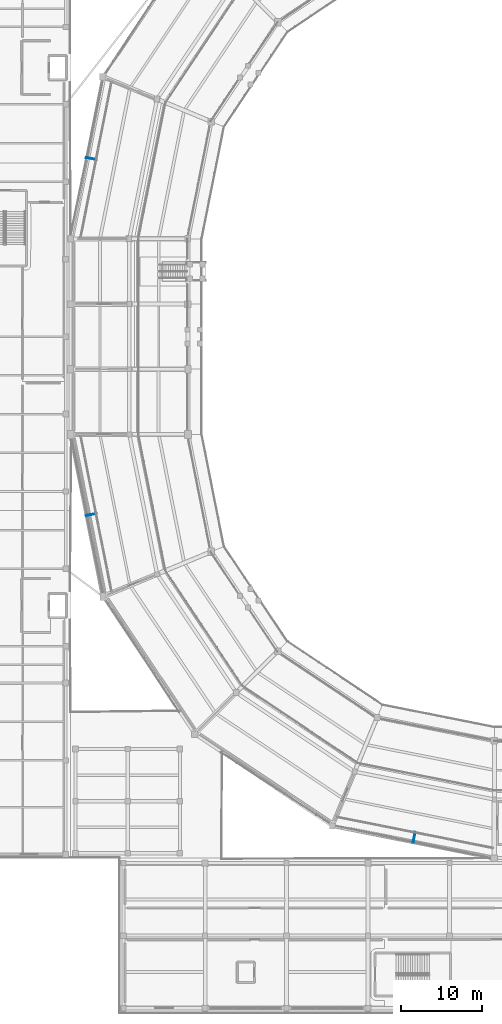
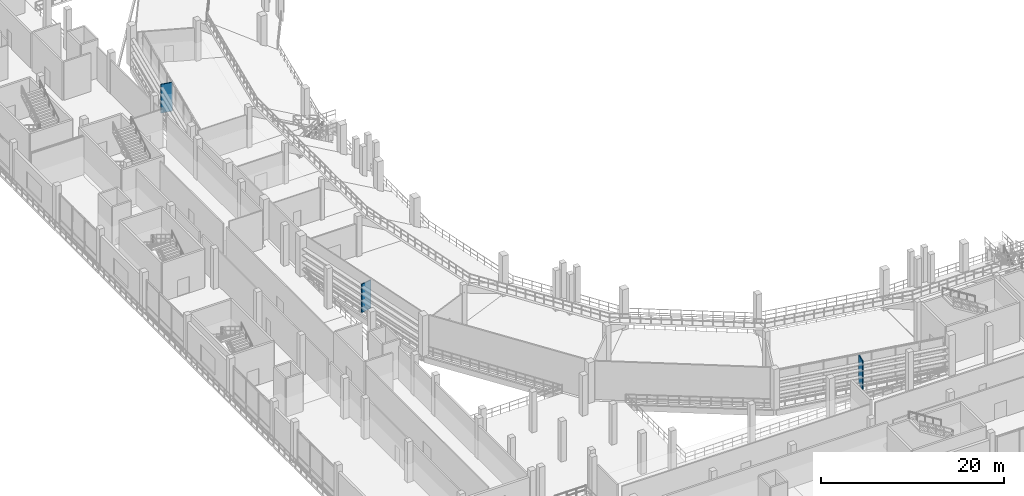
# One storey, part 91 of 127: 3 discrete accessories.
"""IFC4 building model written with IfcOpenShell, lengths in metres."""

import ifcopenshell
import ifcopenshell.guid

model = None  # the IFC model being written
_history = None  # IfcOwnerHistory: only IFC2X3 demands one
_inside = {}  # id of a spatial element -> (the spatial element, [elements in it])
_under = {}  # id of a project, library or spatial element -> (it, [spatial elements below it])
_declared = {}  # id of a project -> (the project, [libraries it declares])
_typed = {}  # id of a type object -> (the type object, [elements of that type])
_made_of = {}  # id of a material, layer set ... -> (it, [elements and type objects made of it])


def new_model(schema):
    """Start an empty IFC model of exactly this schema.

    Asked for "IFC4X3", IfcOpenShell would pick the latest addendum, in which some entities
    have other attributes; the version numbers below select the first issue.
    IFC2X3 requires an IfcOwnerHistory on every rooted entity: one is made here for all.
    """
    global model, _history
    if schema == "IFC4X3":
        model = ifcopenshell.file(schema_version=(4, 3, 0, 0))
    else:
        model = ifcopenshell.file(schema=schema)
    _inside.clear()
    _under.clear()
    _declared.clear()
    _typed.clear()
    _made_of.clear()
    _history = None
    if model.schema == "IFC2X3":
        org = make("IfcOrganization", Name="unknown")
        user = make(
            "IfcPersonAndOrganization",
            ThePerson=make("IfcPerson", FamilyName="unknown"),
            TheOrganization=org,
        )
        app = make(
            "IfcApplication",
            ApplicationDeveloper=org,
            Version="unknown",
            ApplicationFullName="unknown",
            ApplicationIdentifier="unknown",
        )
        _history = make(
            "IfcOwnerHistory",
            OwningUser=user,
            OwningApplication=app,
            ChangeAction="ADDED",
            CreationDate=0,
        )
    return model


def make(cls, **values):
    """One entity of the class cls with the attributes given. An attribute that is None is left unset."""
    return model.create_entity(
        cls, **{name: value for name, value in values.items() if value is not None}
    )


def rooted(cls, **values):
    """An entity with a GlobalId (a new one), such as an element, a storey or a relation."""
    return make(cls, GlobalId=ifcopenshell.guid.new(), OwnerHistory=_history, **values)


def si_unit(unit_type, name, prefix=None):
    """IfcSIUnit, for example si_unit("LENGTHUNIT", "METRE", prefix="MILLI")."""
    return make("IfcSIUnit", UnitType=unit_type, Prefix=prefix, Name=name)


def assignment(units):
    """IfcUnitAssignment: the units of a project."""
    return None if units is None else make("IfcUnitAssignment", Units=units)


def point(xyz):
    """IfcCartesianPoint."""
    return None if xyz is None else make("IfcCartesianPoint", Coordinates=xyz)


def direction(xyz):
    """IfcDirection."""
    return None if xyz is None else make("IfcDirection", DirectionRatios=xyz)


def frame(location, z_axis=None, x_axis=None):
    """IfcAxis2Placement3D, a coordinate frame: its origin and axes. An axis left out is left unset."""
    return make(
        "IfcAxis2Placement3D",
        Location=point(location),
        Axis=direction(z_axis),
        RefDirection=direction(x_axis),
    )


def frame_2d(location, x_axis=None):
    """IfcAxis2Placement2D, a coordinate frame in the plane: its origin and x axis."""
    return make(
        "IfcAxis2Placement2D", Location=point(location), RefDirection=direction(x_axis)
    )


def origin():
    """The frame at (0, 0, 0) with its axes left unset."""
    return frame((0.0, 0.0, 0.0))


def origin_2d():
    """The frame at (0, 0) in the plane with its x axis left unset."""
    return frame_2d((0.0, 0.0))


def place(relative_to, where):
    """IfcLocalPlacement: puts the frame where relative to a parent placement (None: the world)."""
    return make(
        "IfcLocalPlacement", PlacementRelTo=relative_to, RelativePlacement=where
    )


def context(
    kind, dimensions, precision=None, world=None, true_north=None, identifier=None
):
    """IfcGeometricRepresentationContext, for example the 3D "Model" context."""
    return make(
        "IfcGeometricRepresentationContext",
        ContextIdentifier=identifier,
        ContextType=kind,
        CoordinateSpaceDimension=dimensions,
        Precision=precision,
        WorldCoordinateSystem=world,
        TrueNorth=true_north,
    )


def subcontext(parent, identifier, kind, view, scale=None):
    """IfcGeometricRepresentationSubContext, for example "Body" below "Model"."""
    return make(
        "IfcGeometricRepresentationSubContext",
        ContextIdentifier=identifier,
        ContextType=kind,
        ParentContext=parent,
        TargetScale=scale,
        TargetView=view,
    )


def project(units=None, contexts=None):
    """IfcProject with its units and contexts."""
    return rooted(
        "IfcProject",
        Name="project",
        RepresentationContexts=contexts,
        UnitsInContext=assignment(units),
    )


def spatial(cls, under=None, at=None, **own):
    """A site, building, storey or space (cls), placed at a placement, below another one or the project."""
    s = rooted(cls, ObjectPlacement=at, **own)
    if under is not None:
        _under.setdefault(under.id(), (under, []))[1].append(s)
    return s


def profile(cls, at=None, kind="AREA", **sizes):
    """A parametric profile (cls). Its sizes go by their IFC names, for example OverallWidth=200.0."""
    return make(cls, ProfileType=kind, Position=at, **sizes)


def rectangle(**sizes):
    """IfcRectangleProfileDef."""
    return profile("IfcRectangleProfileDef", **sizes)


def extrude(swept, where, along, depth):
    """IfcExtrudedAreaSolid: the profile swept, set in the frame where, extruded along a direction by depth."""
    return make(
        "IfcExtrudedAreaSolid",
        SweptArea=swept,
        Position=where,
        ExtrudedDirection=direction(along),
        Depth=depth,
    )


def shape(context_of_items, identifier, shape_type, items):
    """IfcShapeRepresentation: the items that make up one representation, for example the "Body"."""
    return make(
        "IfcShapeRepresentation",
        ContextOfItems=context_of_items,
        RepresentationIdentifier=identifier,
        RepresentationType=shape_type,
        Items=items,
    )


def material(Name=None, Category=None):
    """IfcMaterial."""
    return make("IfcMaterial", Name=Name, Category=Category)


def made_of(thing, what):
    """Note that an element or type object is made of a material, layer set ...; save() writes the relation."""
    if what is not None:
        _made_of.setdefault(what.id(), (what, []))[1].append(thing)
    return thing


def type_object(cls, material=None, **own):
    """A type object (cls), such as IfcWallType, which elements share."""
    return made_of(rooted(cls, **own), material)


def element(
    cls,
    number,
    at=None,
    inside=None,
    cuts=None,
    type_object=None,
    material=None,
    context=None,
    identifier="Body",
    shape_type=None,
    held_by="IfcProductDefinitionShape",
    body=None,
    shapes=None,
    **own,
):
    """One element of the class cls, such as IfcWall. Its Tag is "e" and its number.

    at: its placement. inside: the storey or other place that contains it. cuts: it is an
    opening in that element (IfcRelVoidsElement). A single representation is given by context,
    identifier, shape_type and body (its items); several are given by shapes. held_by: the class
    of the entity that holds the representations. save() writes the other relations.
    """
    e = rooted(cls, Tag="e%d" % number, ObjectPlacement=at, **own)
    if body is not None:
        shapes = [shape(context, identifier, shape_type, body)]
    if shapes is not None:
        e.Representation = make(held_by, Representations=shapes)
    if inside is not None:
        _inside.setdefault(inside.id(), (inside, []))[1].append(e)
    if cuts is not None:
        rooted(
            "IfcRelVoidsElement", RelatingBuildingElement=cuts, RelatedOpeningElement=e
        )
    if type_object is not None:
        _typed.setdefault(type_object.id(), (type_object, []))[1].append(e)
    return made_of(e, material)


def aggregate(whole, parts):
    """IfcRelAggregates: a whole, such as a stair, and the parts it consists of."""
    return rooted("IfcRelAggregates", RelatingObject=whole, RelatedObjects=parts)


def save(model, path):
    """Write the relations noted so far, then the file.

    IfcRelAggregates (storeys below a building ...), IfcRelContainedInSpatialStructure (elements
    in a storey), IfcRelDefinesByType, IfcRelAssociatesMaterial and IfcRelDeclares: one each for
    every whole, place, type object, material and project.
    """
    for whole, parts in _under.values():
        aggregate(whole, parts)
    for where, things in _inside.values():
        rooted(
            "IfcRelContainedInSpatialStructure",
            RelatedElements=things,
            RelatingStructure=where,
        )
    for kind, things in _typed.values():
        rooted("IfcRelDefinesByType", RelatedObjects=things, RelatingType=kind)
    for what, things in _made_of.values():
        rooted("IfcRelAssociatesMaterial", RelatedObjects=things, RelatingMaterial=what)
    for by, libraries in _declared.values():
        rooted("IfcRelDeclares", RelatingContext=by, RelatedDefinitions=libraries)
    model.write(path)


model = new_model("IFC4")

# Units and contexts
model_context = context("Model", 3, precision=1e-05, world=origin(), true_north=direction((0.0, 1.0)))
body_context = subcontext(model_context, "Body", "Model", "MODEL_VIEW")
ifc_project = project(units=[si_unit("LENGTHUNIT", "METRE"), si_unit("AREAUNIT", "SQUARE_METRE"), si_unit("VOLUMEUNIT", "CUBIC_METRE"), si_unit("PLANEANGLEUNIT", "RADIAN"), si_unit("MASSUNIT", "GRAM", prefix="KILO")], contexts=[model_context])

# Site, building, storey
site_placement = place(None, origin())
site = spatial("IfcSite", under=ifc_project, at=site_placement, CompositionType="ELEMENT")
building_placement = place(site_placement, origin())
building = spatial("IfcBuilding", under=site, at=building_placement, Name="Candeia Ridge Stadium", CompositionType="ELEMENT")
storey_placement = place(building_placement, frame((0.0, 0.0, 10.800048828125)))
storey = spatial("IfcBuildingStorey", under=building, at=storey_placement, Name="L02", CompositionType="ELEMENT", Elevation=10.800048828125)

# Discrete accessories
ifc_material = material(Name="Steel ASTM A572 Grade 50", Category="steel")
discrete_accessory_type = type_object("IfcDiscreteAccessoryType", Name="Solar Rib Outrigger Bracket BRK1", PredefinedType="BRACKET", material=ifc_material)
discrete_accessory_placement = place(storey_placement, frame((21.556396484375, 104.8349609375, 0.199951171875), z_axis=(0.0, 0.0, 1.0), x_axis=(-0.980785299134, 0.19509022785, 0.0)))
element("IfcDiscreteAccessory", 1, at=discrete_accessory_placement, inside=storey, type_object=discrete_accessory_type, Name="Solar rib steel outrigger bracket L02 bay 11", PredefinedType="BRACKET", context=body_context, shape_type="SweptSolid", body=[
    extrude(rectangle(XDim=1.35009765625, YDim=0.1201171875, at=origin_2d()), origin(), (0.0, 0.0, 1.0), 3.85498046875),
])
for number, where, z_axis, x_axis, name in (
    (2, (21.556396484375, 61.1650390625, 0.199951171875), (0.0, 0.0, 1.0), (-0.980785299134, -0.19509022785, 0.0), "Solar rib steel outrigger bracket L02 bay 15"),
    (3, (61.1650390625, 21.556396484375, 0.199951171875), (0.0, 0.0, 1.0), (-0.19509022785, -0.980785299134, 0.0), "Solar rib steel outrigger bracket L02 bay 18"),
):
    element("IfcDiscreteAccessory", number, at=place(storey_placement, frame(where, z_axis=z_axis, x_axis=x_axis)), inside=storey, type_object=discrete_accessory_type, Name=name, PredefinedType="BRACKET", context=body_context, shape_type="SweptSolid", body=[
        extrude(rectangle(XDim=1.35009765625, YDim=0.1201171875, at=origin_2d()), origin(), (0.0, 0.0, 1.0), 3.81494140625),
    ])

save(model, "model.ifc")
